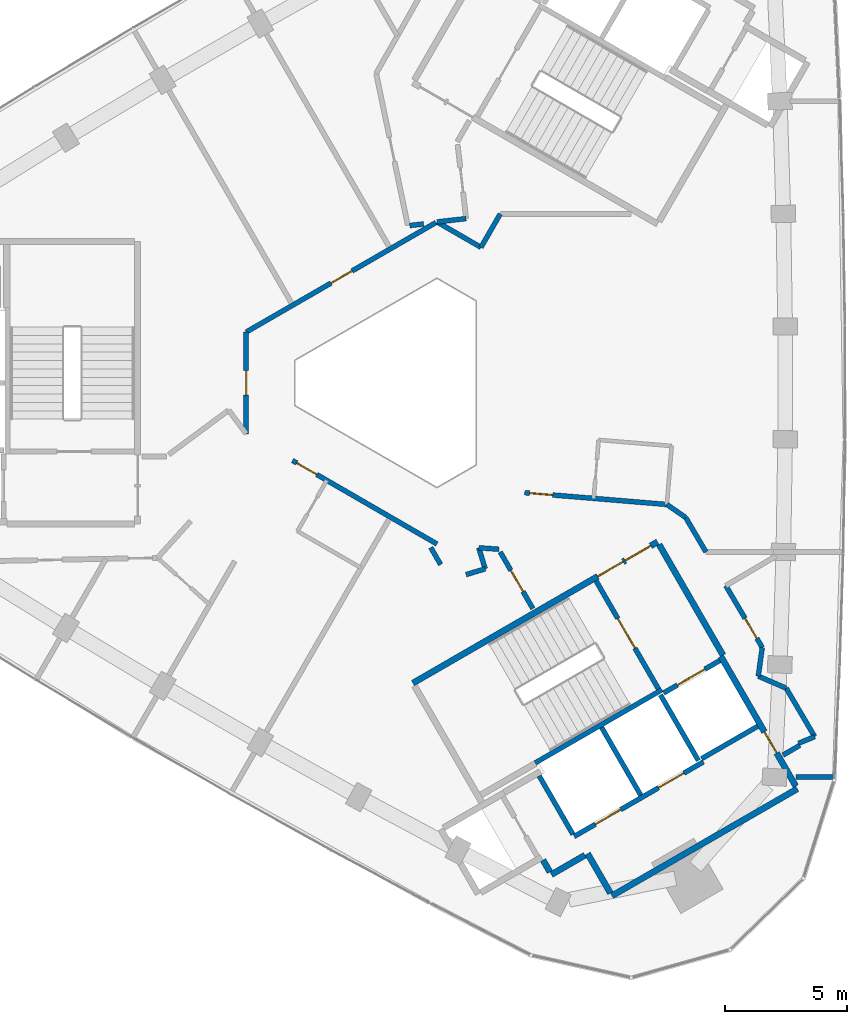
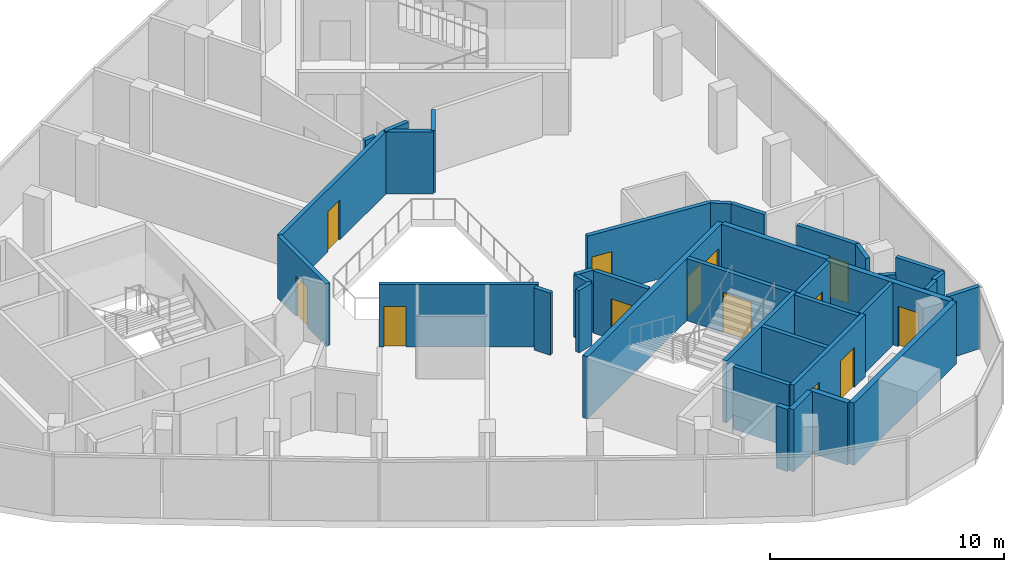
# One storey, part 7 of 10: 37 walls, 13 doors, 13 openings.
"""IFC4 building model written with IfcOpenShell, lengths in metres."""

from ifc_helpers import new_model, si_unit, direction, frame, frame_2d, origin, place, context, subcontext, project, spatial, rectangle, extrude, material, layer, layer_set, type_object, element, fill, save


model = new_model("IFC4")

# Units and contexts
model_context = context("Model", 3, precision=1e-05, world=origin(), true_north=direction((0.0, 1.0)))
body_context = subcontext(model_context, "Body", "Model", "MODEL_VIEW")
ifc_project = project(units=[si_unit("LENGTHUNIT", "METRE"), si_unit("AREAUNIT", "SQUARE_METRE"), si_unit("VOLUMEUNIT", "CUBIC_METRE"), si_unit("PLANEANGLEUNIT", "RADIAN"), si_unit("MASSUNIT", "GRAM", prefix="KILO")], contexts=[model_context])

# Site, building, storey
site_placement = place(None, origin())
site = spatial("IfcSite", under=ifc_project, at=site_placement, CompositionType="ELEMENT")
building_placement = place(site_placement, origin())
building = spatial("IfcBuilding", under=site, at=building_placement, Name="Tamra Quay Hotel Tower", CompositionType="ELEMENT")
storey_placement = place(building_placement, frame((0.0, 0.0, 276.60009765625)))
storey = spatial("IfcBuildingStorey", under=building, at=storey_placement, Name="L70", CompositionType="ELEMENT", Elevation=276.60009765625)

# Wall
ifc_material_1 = material(Name="Concrete M70", Category="concrete")
ifc_layer_1 = layer(ifc_material_1, 0.199951171875)
ifc_layer_set_1 = layer_set([ifc_layer_1], Name="Concrete M70 core wall 200")
wall_type_1 = type_object("IfcWallType", Name="Concrete M70 core wall 200", PredefinedType="SHEAR", material=ifc_layer_set_1)
wall_1_placement = place(storey_placement, frame((5.4189453125, -15.533935546875, 0.0), z_axis=(0.0, 0.0, 1.0), x_axis=(0.866029065029, 0.499993658486, 0.0)))
element("IfcWall", 1, at=wall_1_placement, inside=storey, type_object=wall_type_1, Name="CW2", PredefinedType="SHEAR", context=body_context, shape_type="SweptSolid", body=[
    extrude(rectangle(XDim=5.97412109375, YDim=0.199951171875, at=frame_2d((2.987060546875, 0.0))), origin(), (0.0, 0.0, 1.0), 3.25),
])

# Wall, openings, doors
wall_2_placement = place(storey_placement, frame((7.009765625, -18.54150390625, 0.0), z_axis=(0.0, 0.0, 1.0), x_axis=(0.866030299012, 0.499991521122, 0.0)))
wall_2 = element("IfcWall", 2, at=wall_2_placement, inside=storey, type_object=wall_type_1, Name="CW2", PredefinedType="SHEAR", context=body_context, shape_type="SweptSolid", body=[
    extrude(rectangle(XDim=6.10009765625, YDim=0.199951171875, at=frame_2d((3.050048828125, 0.0))), origin(), (0.0, 0.0, 1.0), 3.25),
])
opening_1_placement = place(wall_2_placement, frame((1.0, 0.0, 0.0)))
opening_1 = element("IfcOpeningElement", 3, at=opening_1_placement, cuts=wall_2, Name="Opening LD", PredefinedType="OPENING", context=body_context, shape_type="SweptSolid", body=[
    extrude(rectangle(XDim=1.199951171875, YDim=2.10009765625, at=frame_2d((0.60009765625, 1.050048828125))), frame((0.0, 0.10986328125, 0.0), z_axis=(0.0, -1.0, 0.0), x_axis=(1.0, 0.0, 0.0)), (0.0, 0.0, 1.0), 0.219970703125),
])
opening_2_placement = place(wall_2_placement, frame((3.982177734375, 0.0, 0.0)))
opening_2 = element("IfcOpeningElement", 4, at=opening_2_placement, cuts=wall_2, Name="Opening LD", PredefinedType="OPENING", context=body_context, shape_type="SweptSolid", body=[
    extrude(rectangle(XDim=1.199951171875, YDim=2.10009765625, at=frame_2d((0.60009765625, 1.050048828125))), frame((0.0, 0.10986328125, 0.0), z_axis=(0.0, -1.0, 0.0), x_axis=(1.0, 0.0, 0.0)), (0.0, 0.0, 1.0), 0.219970703125),
])
ifc_material_2 = material(Name="Landing door LD 1200 double door sliding")
door_type_1 = type_object("IfcDoorType", Name="Landing door LD 1200 double door sliding", OperationType="DOUBLE_DOOR_SLIDING", PredefinedType="DOOR", material=ifc_material_2)
door_1_placement = place(opening_1_placement, origin())
door_1 = element("IfcDoor", 5, at=door_1_placement, inside=storey, type_object=door_type_1, Name="LD", OperationType="DOUBLE_DOOR_SLIDING", OverallHeight=2.10009765625, OverallWidth=1.199951171875, PredefinedType="DOOR", context=body_context, shape_type="SweptSolid", body=[
    extrude(rectangle(XDim=1.199951171875, YDim=2.10009765625, at=frame_2d((0.60009765625, 1.050048828125))), frame((0.0, 0.02490234375, 0.0), z_axis=(0.0, -1.0, 0.0), x_axis=(1.0, 0.0, 0.0)), (0.0, 0.0, 1.0), 0.050048828125),
])
fill(opening_1, door_1)
door_2_placement = place(opening_2_placement, origin())
door_2 = element("IfcDoor", 6, at=door_2_placement, inside=storey, type_object=door_type_1, Name="LD", OperationType="DOUBLE_DOOR_SLIDING", OverallHeight=2.10009765625, OverallWidth=1.199951171875, PredefinedType="DOOR", context=body_context, shape_type="SweptSolid", body=[
    extrude(rectangle(XDim=1.199951171875, YDim=2.10009765625, at=frame_2d((0.60009765625, 1.050048828125))), frame((0.0, 0.02490234375, 0.0), z_axis=(0.0, -1.0, 0.0), x_axis=(1.0, 0.0, 0.0)), (0.0, 0.0, 1.0), 0.050048828125),
])
fill(opening_2, door_2)

# Wall, opening, door
wall_3_placement = place(storey_placement, frame((7.906494140625, -8.094482421875, 0.0), z_axis=(0.0, 0.0, 1.0), x_axis=(0.500027839223, -0.866009330205, 0.0)))
wall_3 = element("IfcWall", 7, at=wall_3_placement, inside=storey, type_object=wall_type_1, Name="CW2", PredefinedType="SHEAR", context=body_context, shape_type="SweptSolid", body=[
    extrude(rectangle(XDim=5.097900390625, YDim=0.199951171875, at=frame_2d((2.548828125, 0.0))), origin(), (0.0, 0.0, 1.0), 3.25),
])
opening_3_placement = place(wall_3_placement, frame((1.77392578125, 0.0, 0.0)))
opening_3 = element("IfcOpeningElement", 8, at=opening_3_placement, cuts=wall_3, Name="Opening FD2", PredefinedType="OPENING", context=body_context, shape_type="SweptSolid", body=[
    extrude(rectangle(XDim=1.39990234375, YDim=2.10009765625, at=frame_2d((0.699951171875, 1.050048828125))), frame((0.0, 0.10986328125, 0.0), z_axis=(0.0, -1.0, 0.0), x_axis=(1.0, 0.0, 0.0)), (0.0, 0.0, 1.0), 0.219970703125),
])
ifc_material_3 = material(Name="Core door FD2 1400x2100 LH")
door_type_2 = type_object("IfcDoorType", Name="Core door FD2 1400x2100 LH", OperationType="NOTDEFINED", PredefinedType="DOOR", material=ifc_material_3)
door_3_placement = place(opening_3_placement, origin())
door_3 = element("IfcDoor", 9, at=door_3_placement, inside=storey, type_object=door_type_2, Name="FD2", OperationType="SINGLE_SWING_LEFT", OverallHeight=2.10009765625, OverallWidth=1.39990234375, PredefinedType="DOOR", context=body_context, shape_type="SweptSolid", body=[
    extrude(rectangle(XDim=1.39990234375, YDim=2.10009765625, at=frame_2d((0.699951171875, 1.050048828125))), frame((0.0, 0.02490234375, 0.0), z_axis=(0.0, -1.0, 0.0), x_axis=(1.0, 0.0, 0.0)), (0.0, 0.0, 1.0), 0.050048828125),
])
fill(opening_3, door_3)

# Walls
wall_4_placement = place(storey_placement, frame((8.131591796875, -14.084228515625, 0.0), z_axis=(0.0, 0.0, 1.0), x_axis=(0.499997778408, -0.866026686418, 0.0)))
element("IfcWall", 10, at=wall_4_placement, inside=storey, type_object=wall_type_1, Name="CW2", PredefinedType="SHEAR", context=body_context, shape_type="SweptSolid", body=[
    extrude(rectangle(XDim=3.1982421875, YDim=0.199951171875, at=frame_2d((1.59912109375, 0.0))), origin(), (0.0, 0.0, 1.0), 3.25),
])
wall_5_placement = place(storey_placement, frame((6.959716796875, -18.455078125, 0.0), z_axis=(0.0, 0.0, 1.0), x_axis=(-0.499926705758, 0.866067716099, 0.0)))
element("IfcWall", 11, at=wall_5_placement, inside=storey, type_object=wall_type_1, Name="CW2", PredefinedType="SHEAR", context=body_context, shape_type="SweptSolid", body=[
    extrude(rectangle(XDim=2.75927734375, YDim=0.199951171875, at=frame_2d((1.379638671875, 0.0))), origin(), (0.0, 0.0, 1.0), 3.25),
])
wall_6_placement = place(storey_placement, frame((12.087646484375, -15.4365234375, 0.0), z_axis=(0.0, 0.0, 1.0), x_axis=(-0.500026960575, 0.86600983753, 0.0)))
element("IfcWall", 12, at=wall_6_placement, inside=storey, type_object=wall_type_1, Name="CW2", PredefinedType="SHEAR", context=body_context, shape_type="SweptSolid", body=[
    extrude(rectangle(XDim=3.099853515625, YDim=0.199951171875, at=frame_2d((1.5498046875, 0.0))), origin(), (0.0, 0.0, 1.0), 3.25),
])

# Wall, opening, door
wall_7_placement = place(storey_placement, frame((10.666015625, -12.677734375, 0.0), z_axis=(0.0, 0.0, 1.0), x_axis=(0.866018407898, 0.500012117035, 0.0)))
wall_7 = element("IfcWall", 13, at=wall_7_placement, inside=storey, type_object=wall_type_1, Name="CW2", PredefinedType="SHEAR", context=body_context, shape_type="SweptSolid", body=[
    extrude(rectangle(XDim=2.65087890625, YDim=0.199951171875, at=frame_2d((1.325439453125, 0.0))), origin(), (0.0, 0.0, 1.0), 3.25),
])
opening_4_placement = place(wall_7_placement, frame((0.65185546875, 0.0, 0.0)))
opening_4 = element("IfcOpeningElement", 14, at=opening_4_placement, cuts=wall_7, Name="Opening LD", PredefinedType="OPENING", context=body_context, shape_type="SweptSolid", body=[
    extrude(rectangle(XDim=1.300048828125, YDim=2.10009765625, at=frame_2d((0.64990234375, 1.050048828125))), frame((0.0, 0.10986328125, 0.0), z_axis=(0.0, -1.0, 0.0), x_axis=(1.0, 0.0, 0.0)), (0.0, 0.0, 1.0), 0.219970703125),
])
ifc_material_4 = material(Name="Landing door LD 1300 sliding to left")
door_type_3 = type_object("IfcDoorType", Name="Landing door LD 1300 sliding to left", OperationType="NOTDEFINED", PredefinedType="DOOR", material=ifc_material_4)
door_4_placement = place(opening_4_placement, origin())
door_4 = element("IfcDoor", 15, at=door_4_placement, inside=storey, type_object=door_type_3, Name="LD", OperationType="SLIDING_TO_LEFT", OverallHeight=2.10009765625, OverallWidth=1.300048828125, PredefinedType="DOOR", context=body_context, shape_type="SweptSolid", body=[
    extrude(rectangle(XDim=1.300048828125, YDim=2.10009765625, at=frame_2d((0.64990234375, 1.050048828125))), frame((0.0, 0.02490234375, 0.0), z_axis=(0.0, -1.0, 0.0), x_axis=(1.0, 0.0, 0.0)), (0.0, 0.0, 1.0), 0.050048828125),
])
fill(opening_4, door_4)

# Wall
wall_8_placement = place(storey_placement, frame((14.51171875, -14.037109375, 0.0), z_axis=(0.0, 0.0, 1.0), x_axis=(-0.866018407898, -0.500012117035, 0.0)))
element("IfcWall", 16, at=wall_8_placement, inside=storey, type_object=wall_type_1, Name="CW2", PredefinedType="SHEAR", context=body_context, shape_type="SweptSolid", body=[
    extrude(rectangle(XDim=2.65087890625, YDim=0.199951171875, at=frame_2d((1.325439453125, 0.0))), origin(), (0.0, 0.0, 1.0), 3.25),
])

# Wall, openings, doors
ifc_layer_2 = layer(ifc_material_1, 0.25)
ifc_layer_set_2 = layer_set([ifc_layer_2], Name="Concrete M70 core wall 250")
wall_type_2 = type_object("IfcWallType", Name="Concrete M70 core wall 250", PredefinedType="SHEAR", material=ifc_layer_set_2)
wall_9_placement = place(storey_placement, frame((0.417236328125, -12.27294921875, 0.0), z_axis=(0.0, 0.0, 1.0), x_axis=(0.866021906294, 0.500006057782, 0.0)))
wall_9 = element("IfcWall", 17, at=wall_9_placement, inside=storey, type_object=wall_type_2, Name="CW1", PredefinedType="SHEAR", context=body_context, shape_type="SweptSolid", body=[
    extrude(rectangle(XDim=11.550048828125, YDim=0.25, at=frame_2d((5.77490234375, 0.0))), origin(), (0.0, 0.0, 1.0), 3.25),
])
opening_5_placement = place(wall_9_placement, frame((10.024658203125, 0.0, 0.0)))
opening_5 = element("IfcOpeningElement", 18, at=opening_5_placement, cuts=wall_9, Name="Opening FD1", PredefinedType="OPENING", context=body_context, shape_type="SweptSolid", body=[
    extrude(rectangle(XDim=1.199951171875, YDim=2.10009765625, at=frame_2d((0.60009765625, 1.050048828125))), frame((0.0, 0.135009765625, 0.0), z_axis=(0.0, -1.0, 0.0), x_axis=(1.0, 0.0, 0.0)), (0.0, 0.0, 1.0), 0.27001953125),
])
opening_6_placement = place(wall_9_placement, frame((8.724609375, 0.0, 0.0)))
opening_6 = element("IfcOpeningElement", 19, at=opening_6_placement, cuts=wall_9, Name="Opening FD1", PredefinedType="OPENING", context=body_context, shape_type="SweptSolid", body=[
    extrude(rectangle(XDim=1.199951171875, YDim=2.10009765625, at=frame_2d((0.60009765625, 1.050048828125))), frame((0.0, 0.135009765625, 0.0), z_axis=(0.0, -1.0, 0.0), x_axis=(1.0, 0.0, 0.0)), (0.0, 0.0, 1.0), 0.27001953125),
])
ifc_material_5 = material(Name="Core door FD1 1200x2100 LH")
door_type_4 = type_object("IfcDoorType", Name="Core door FD1 1200x2100 LH", OperationType="NOTDEFINED", PredefinedType="DOOR", material=ifc_material_5)
door_5_placement = place(opening_5_placement, origin())
door_5 = element("IfcDoor", 20, at=door_5_placement, inside=storey, type_object=door_type_4, Name="FD1", OperationType="SINGLE_SWING_LEFT", OverallHeight=2.10009765625, OverallWidth=1.199951171875, PredefinedType="DOOR", context=body_context, shape_type="SweptSolid", body=[
    extrude(rectangle(XDim=1.199951171875, YDim=2.10009765625, at=frame_2d((0.60009765625, 1.050048828125))), frame((0.0, 0.02490234375, 0.0), z_axis=(0.0, -1.0, 0.0), x_axis=(1.0, 0.0, 0.0)), (0.0, 0.0, 1.0), 0.050048828125),
])
fill(opening_5, door_5)
ifc_material_6 = material(Name="Core door FD1 1200x2100 RH")
door_type_5 = type_object("IfcDoorType", Name="Core door FD1 1200x2100 RH", OperationType="NOTDEFINED", PredefinedType="DOOR", material=ifc_material_6)
door_6_placement = place(opening_6_placement, origin())
door_6 = element("IfcDoor", 21, at=door_6_placement, inside=storey, type_object=door_type_5, Name="FD1", OperationType="SINGLE_SWING_RIGHT", OverallHeight=2.10009765625, OverallWidth=1.199951171875, PredefinedType="DOOR", context=body_context, shape_type="SweptSolid", body=[
    extrude(rectangle(XDim=1.199951171875, YDim=2.10009765625, at=frame_2d((0.60009765625, 1.050048828125))), frame((0.0, 0.02490234375, 0.0), z_axis=(0.0, -1.0, 0.0), x_axis=(1.0, 0.0, 0.0)), (0.0, 0.0, 1.0), 0.050048828125),
])
fill(opening_6, door_6)

# Wall
wall_10_placement = place(storey_placement, frame((16.13330078125, -16.59375, 0.0), z_axis=(0.0, 0.0, 1.0), x_axis=(-0.866022959057, -0.500004234368, 0.0)))
element("IfcWall", 22, at=wall_10_placement, inside=storey, type_object=wall_type_2, Name="CW1", PredefinedType="SHEAR", context=body_context, shape_type="SweptSolid", body=[
    extrude(rectangle(XDim=8.75, YDim=0.25, at=frame_2d((4.375, 0.0))), origin(), (0.0, 0.0, 1.0), 3.25),
])

# Wall, opening, door
wall_11_placement = place(storey_placement, frame((13.00830078125, -11.18115234375, 0.0), z_axis=(0.0, 0.0, 1.0), x_axis=(0.500001955336, -0.866024274868, 0.0)))
wall_11 = element("IfcWall", 23, at=wall_11_placement, inside=storey, type_object=wall_type_2, Name="CW1", PredefinedType="SHEAR", context=body_context, shape_type="SweptSolid", body=[
    extrude(rectangle(XDim=6.12451171875, YDim=0.25, at=frame_2d((3.062255859375, 0.0))), origin(), (0.0, 0.0, 1.0), 3.25),
])
opening_7_placement = place(wall_11_placement, frame((3.562744140625, 0.0, 0.0)))
opening_7 = element("IfcOpeningElement", 24, at=opening_7_placement, cuts=wall_11, Name="Opening FD3", PredefinedType="OPENING", context=body_context, shape_type="SweptSolid", body=[
    extrude(rectangle(XDim=1.0, YDim=2.10009765625, at=frame_2d((0.5, 1.050048828125))), frame((0.0, 0.135009765625, 0.0), z_axis=(0.0, -1.0, 0.0), x_axis=(1.0, 0.0, 0.0)), (0.0, 0.0, 1.0), 0.27001953125),
])
ifc_material_7 = material(Name="Core door FD3 1000x2100 LH")
door_type_6 = type_object("IfcDoorType", Name="Core door FD3 1000x2100 LH", OperationType="NOTDEFINED", PredefinedType="DOOR", material=ifc_material_7)
door_7_placement = place(opening_7_placement, origin())
door_7 = element("IfcDoor", 25, at=door_7_placement, inside=storey, type_object=door_type_6, Name="FD3", OperationType="SINGLE_SWING_LEFT", OverallHeight=2.10009765625, OverallWidth=1.0, PredefinedType="DOOR", context=body_context, shape_type="SweptSolid", body=[
    extrude(rectangle(XDim=1.0, YDim=2.10009765625, at=frame_2d((0.5, 1.050048828125))), frame((0.0, 0.02490234375, 0.0), z_axis=(0.0, -1.0, 0.0), x_axis=(1.0, 0.0, 0.0)), (0.0, 0.0, 1.0), 0.050048828125),
])
fill(opening_7, door_7)

# Walls
wall_12_placement = place(storey_placement, frame((10.482666015625, -6.6064453125, 0.0), z_axis=(0.0, 0.0, 1.0), x_axis=(0.49999885962, -0.866026062182, 0.0)))
element("IfcWall", 26, at=wall_12_placement, inside=storey, type_object=wall_type_2, Name="CW1", PredefinedType="SHEAR", context=body_context, shape_type="SweptSolid", body=[
    extrude(rectangle(XDim=5.224609375, YDim=0.25, at=frame_2d((2.6123046875, 0.0))), origin(), (0.0, 0.0, 1.0), 3.25),
])
wall_13_placement = place(storey_placement, frame((8.492919921875, -20.860107421875, 0.0), z_axis=(0.0, 0.0, 1.0), x_axis=(-0.500039802285, 0.866002422705, 0.0)))
element("IfcWall", 27, at=wall_13_placement, inside=storey, type_object=wall_type_2, Name="CW1", PredefinedType="SHEAR", context=body_context, shape_type="SweptSolid", body=[
    extrude(rectangle(XDim=1.864501953125, YDim=0.25, at=frame_2d((0.93212890625, 0.0))), origin(), (0.0, 0.0, 1.0), 3.25),
])
wall_14_placement = place(storey_placement, frame((7.451904296875, -19.30810546875, 0.0), z_axis=(0.0, 0.0, 1.0), x_axis=(-0.866044474677, -0.49996696679, 0.0)))
element("IfcWall", 28, at=wall_14_placement, inside=storey, type_object=wall_type_2, Name="CW1", PredefinedType="SHEAR", context=body_context, shape_type="SweptSolid", body=[
    extrude(rectangle(XDim=1.58447265625, YDim=0.25, at=frame_2d((0.792236328125, 0.0))), origin(), (0.0, 0.0, 1.0), 3.25),
])
wall_15_placement = place(storey_placement, frame((6.01708984375, -19.99169921875, 0.0), z_axis=(0.0, 0.0, 1.0), x_axis=(-0.500364886717, 0.865814633822, 0.0)))
element("IfcWall", 29, at=wall_15_placement, inside=storey, type_object=wall_type_2, Name="CW1", PredefinedType="SHEAR", context=body_context, shape_type="SweptSolid", body=[
    extrude(rectangle(XDim=0.55908203125, YDim=0.25, at=frame_2d((0.279541015625, 0.0))), origin(), (0.0, 0.0, 1.0), 3.25),
])

# Wall, opening, door
ifc_material_8 = material(Name="Partition corridor wall")
ifc_layer_3 = layer(ifc_material_8, 0.199951171875)
ifc_layer_set_3 = layer_set([ifc_layer_3], Name="Partition corridor wall")
wall_type_3 = type_object("IfcWallType", Name="Partition corridor wall", PredefinedType="PARTITIONING", material=ifc_layer_set_3)
wall_16_placement = place(storey_placement, frame((-6.39990234375, -2.077880859375, 0.0), z_axis=(0.0, 0.0, 1.0), x_axis=(0.0, 1.0, 0.0)))
wall_16 = element("IfcWall", 30, at=wall_16_placement, inside=storey, type_object=wall_type_3, Name="W-C", PredefinedType="PARTITIONING", context=body_context, shape_type="SweptSolid", body=[
    extrude(rectangle(XDim=4.156982421875, YDim=0.199951171875, at=frame_2d((2.07861328125, 0.0))), origin(), (0.0, 0.0, 1.0), 3.25),
])
opening_8_placement = place(wall_16_placement, frame((1.57861328125, 0.0, 0.0)))
opening_8 = element("IfcOpeningElement", 31, at=opening_8_placement, cuts=wall_16, Name="Opening L70-D008", PredefinedType="OPENING", context=body_context, shape_type="SweptSolid", body=[
    extrude(rectangle(XDim=1.0, YDim=2.10009765625, at=frame_2d((0.5, 1.050048828125))), frame((0.0, 0.10986328125, 0.0), z_axis=(0.0, -1.0, 0.0), x_axis=(1.0, 0.0, 0.0)), (0.0, 0.0, 1.0), 0.219970703125),
])
ifc_material_9 = material(Name="Door guest room 1000x2100")
door_type_7 = type_object("IfcDoorType", Name="Door guest room 1000x2100", OperationType="NOTDEFINED", PredefinedType="DOOR", material=ifc_material_9)
door_8_placement = place(opening_8_placement, origin())
door_8 = element("IfcDoor", 32, at=door_8_placement, inside=storey, type_object=door_type_7, Name="L70-D008", OperationType="SINGLE_SWING_LEFT", OverallHeight=2.10009765625, OverallWidth=1.0, PredefinedType="DOOR", context=body_context, shape_type="SweptSolid", body=[
    extrude(rectangle(XDim=1.0, YDim=2.10009765625, at=frame_2d((0.5, 1.050048828125))), frame((0.0, 0.02490234375, 0.0), z_axis=(0.0, -1.0, 0.0), x_axis=(1.0, 0.0, 0.0)), (0.0, 0.0, 1.0), 0.050048828125),
])
fill(opening_8, door_8)

wall_17_placement = place(storey_placement, frame((-6.39990234375, 2.07861328125, 0.0), z_axis=(0.0, 0.0, 1.0), x_axis=(0.866044821263, 0.499966366432, 0.0)))
wall_17 = element("IfcWall", 33, at=wall_17_placement, inside=storey, type_object=wall_type_3, Name="W-C", PredefinedType="PARTITIONING", context=body_context, shape_type="SweptSolid", body=[
    extrude(rectangle(XDim=8.953125, YDim=0.199951171875, at=frame_2d((4.4765625, 0.0))), origin(), (0.0, 0.0, 1.0), 3.25),
])
opening_9_placement = place(wall_17_placement, frame((4.003173828125, 0.0, 0.0)))
opening_9 = element("IfcOpeningElement", 34, at=opening_9_placement, cuts=wall_17, Name="Opening L70-D007", PredefinedType="OPENING", context=body_context, shape_type="SweptSolid", body=[
    extrude(rectangle(XDim=1.0, YDim=2.10009765625, at=frame_2d((0.5, 1.050048828125))), frame((0.0, 0.10986328125, 0.0), z_axis=(0.0, -1.0, 0.0), x_axis=(1.0, 0.0, 0.0)), (0.0, 0.0, 1.0), 0.219970703125),
])
door_9_placement = place(opening_9_placement, origin())
door_9 = element("IfcDoor", 35, at=door_9_placement, inside=storey, type_object=door_type_7, Name="L70-D007", OperationType="SINGLE_SWING_LEFT", OverallHeight=2.10009765625, OverallWidth=1.0, PredefinedType="DOOR", context=body_context, shape_type="SweptSolid", body=[
    extrude(rectangle(XDim=1.0, YDim=2.10009765625, at=frame_2d((0.5, 1.050048828125))), frame((0.0, 0.02490234375, 0.0), z_axis=(0.0, -1.0, 0.0), x_axis=(1.0, 0.0, 0.0)), (0.0, 0.0, 1.0), 0.050048828125),
])
fill(opening_9, door_9)

wall_18_placement = place(storey_placement, frame((-4.5048828125, -3.172119140625, 0.0), z_axis=(0.0, 0.0, 1.0), x_axis=(0.865815783666, -0.500362897061, 0.0)))
wall_18 = element("IfcWall", 36, at=wall_18_placement, inside=storey, type_object=wall_type_3, Name="W-C", PredefinedType="PARTITIONING", context=body_context, shape_type="SweptSolid", body=[
    extrude(rectangle(XDim=6.81884765625, YDim=0.199951171875, at=frame_2d((3.409423828125, 0.0))), origin(), (0.0, 0.0, 1.0), 3.25),
])
opening_10_placement = place(wall_18_placement, frame((0.199951171875, 0.0, 0.0)))
opening_10 = element("IfcOpeningElement", 37, at=opening_10_placement, cuts=wall_18, Name="Opening L70-D012", PredefinedType="OPENING", context=body_context, shape_type="SweptSolid", body=[
    extrude(rectangle(XDim=0.949951171875, YDim=2.10009765625, at=frame_2d((0.47509765625, 1.050048828125))), frame((0.0, 0.10986328125, 0.0), z_axis=(0.0, -1.0, 0.0), x_axis=(1.0, 0.0, 0.0)), (0.0, 0.0, 1.0), 0.219970703125),
])
ifc_material_10 = material(Name="Door guest room 950x2100")
door_type_8 = type_object("IfcDoorType", Name="Door guest room 950x2100", OperationType="NOTDEFINED", PredefinedType="DOOR", material=ifc_material_10)
door_10_placement = place(opening_10_placement, frame((0.949951171875, 0.0, 0.0), z_axis=(0.0, 0.0, 1.0), x_axis=(-1.0, 0.0, 0.0)))
door_10 = element("IfcDoor", 38, at=door_10_placement, inside=storey, type_object=door_type_8, Name="L70-D012", OperationType="SINGLE_SWING_LEFT", OverallHeight=2.10009765625, OverallWidth=0.949951171875, PredefinedType="DOOR", context=body_context, shape_type="SweptSolid", body=[
    extrude(rectangle(XDim=0.949951171875, YDim=2.10009765625, at=frame_2d((0.47509765625, 1.050048828125))), frame((0.0, 0.02490234375, 0.0), z_axis=(0.0, -1.0, 0.0), x_axis=(1.0, 0.0, 0.0)), (0.0, 0.0, 1.0), 0.050048828125),
])
fill(opening_10, door_10)

# Walls
wall_19_placement = place(storey_placement, frame((0.285888671875, 6.43408203125, 0.0), z_axis=(0.0, 0.0, 1.0), x_axis=(0.993674480486, 0.112298828274, 0.0)))
element("IfcWall", 39, at=wall_19_placement, inside=storey, type_object=wall_type_3, Name="W-C", PredefinedType="PARTITIONING", context=body_context, shape_type="SweptSolid", body=[
    extrude(rectangle(XDim=0.573974609375, YDim=0.199951171875, at=frame_2d((0.287109375, 0.0))), origin(), (0.0, 0.0, 1.0), 3.25),
])
wall_20_placement = place(storey_placement, frame((1.14794921875, -6.72802734375, 0.0), z_axis=(0.0, 0.0, 1.0), x_axis=(0.499696187967, -0.866200738704, 0.0)))
element("IfcWall", 40, at=wall_20_placement, inside=storey, type_object=wall_type_3, Name="W-C", PredefinedType="PARTITIONING", context=body_context, shape_type="SweptSolid", body=[
    extrude(rectangle(XDim=0.8046875, YDim=0.199951171875, at=frame_2d((0.40234375, 0.0))), origin(), (0.0, 0.0, 1.0), 3.25),
])
wall_21_placement = place(storey_placement, frame((1.39990234375, 6.58203125, 0.0), z_axis=(0.0, 0.0, 1.0), x_axis=(0.993556915844, 0.11333426216, 0.0)))
element("IfcWall", 41, at=wall_21_placement, inside=storey, type_object=wall_type_3, Name="W-C", PredefinedType="PARTITIONING", context=body_context, shape_type="SweptSolid", body=[
    extrude(rectangle(XDim=1.199951171875, YDim=0.199951171875, at=frame_2d((0.60009765625, 0.0))), origin(), (0.0, 0.0, 1.0), 3.25),
])
wall_22_placement = place(storey_placement, frame((1.39990234375, 6.58203125, 0.0), z_axis=(0.0, 0.0, 1.0), x_axis=(0.866066271601, -0.499929208183, 0.0)))
element("IfcWall", 42, at=wall_22_placement, inside=storey, type_object=wall_type_3, Name="W-C", PredefinedType="PARTITIONING", context=body_context, shape_type="SweptSolid", body=[
    extrude(rectangle(XDim=2.078369140625, YDim=0.199951171875, at=frame_2d((1.0390625, 0.0))), origin(), (0.0, 0.0, 1.0), 3.25),
])
wall_23_placement = place(storey_placement, frame((2.591064453125, -7.8369140625, 0.0), z_axis=(0.0, 0.0, 1.0), x_axis=(0.956974070788, 0.290173444409, 0.0)))
element("IfcWall", 43, at=wall_23_placement, inside=storey, type_object=wall_type_3, Name="W-C", PredefinedType="PARTITIONING", context=body_context, shape_type="SweptSolid", body=[
    extrude(rectangle(XDim=0.816162109375, YDim=0.199951171875, at=frame_2d((0.408203125, 0.0))), origin(), (0.0, 0.0, 1.0), 3.25),
])
wall_24_placement = place(storey_placement, frame((3.110107421875, -6.739013671875, 0.0), z_axis=(0.0, 0.0, 1.0), x_axis=(0.291053676179, -0.95670672496, 0.0)))
element("IfcWall", 44, at=wall_24_placement, inside=storey, type_object=wall_type_3, Name="W-C", PredefinedType="PARTITIONING", context=body_context, shape_type="SweptSolid", body=[
    extrude(rectangle(XDim=0.900146484375, YDim=0.199951171875, at=frame_2d((0.4501953125, 0.0))), origin(), (0.0, 0.0, 1.0), 3.25),
])
wall_25_placement = place(storey_placement, frame((3.110107421875, -6.739013671875, 0.0), z_axis=(0.0, 0.0, 1.0), x_axis=(0.997219513188, -0.074520081303, 0.0)))
element("IfcWall", 45, at=wall_25_placement, inside=storey, type_object=wall_type_3, Name="W-C", PredefinedType="PARTITIONING", context=body_context, shape_type="SweptSolid", body=[
    extrude(rectangle(XDim=0.83203125, YDim=0.199951171875, at=frame_2d((0.416015625, 0.0))), origin(), (0.0, 0.0, 1.0), 3.25),
])

# Wall, opening, door
wall_26_placement = place(storey_placement, frame((3.987060546875, -6.910888671875, 0.0), z_axis=(0.0, 0.0, 1.0), x_axis=(0.499458942258, -0.866337558345, 0.0)))
wall_26 = element("IfcWall", 46, at=wall_26_placement, inside=storey, type_object=wall_type_3, Name="W-C", PredefinedType="PARTITIONING", context=body_context, shape_type="SweptSolid", body=[
    extrude(rectangle(XDim=2.673828125, YDim=0.199951171875, at=frame_2d((1.3369140625, 0.0))), origin(), (0.0, 0.0, 1.0), 3.25),
])
opening_11_placement = place(wall_26_placement, frame((0.8671875, 0.0, 0.0)))
opening_11 = element("IfcOpeningElement", 47, at=opening_11_placement, cuts=wall_26, Name="Opening L70-D014", PredefinedType="OPENING", context=body_context, shape_type="SweptSolid", body=[
    extrude(rectangle(XDim=1.0, YDim=2.10009765625, at=frame_2d((0.5, 1.050048828125))), frame((0.0, 0.10986328125, 0.0), z_axis=(0.0, -1.0, 0.0), x_axis=(1.0, 0.0, 0.0)), (0.0, 0.0, 1.0), 0.219970703125),
])
door_11_placement = place(opening_11_placement, frame((1.0, 0.0, 0.0), z_axis=(0.0, 0.0, 1.0), x_axis=(-1.0, 0.0, 0.0)))
door_11 = element("IfcDoor", 48, at=door_11_placement, inside=storey, type_object=door_type_7, Name="L70-D014", OperationType="SINGLE_SWING_LEFT", OverallHeight=2.10009765625, OverallWidth=1.0, PredefinedType="DOOR", context=body_context, shape_type="SweptSolid", body=[
    extrude(rectangle(XDim=1.0, YDim=2.10009765625, at=frame_2d((0.5, 1.050048828125))), frame((0.0, 0.02490234375, 0.0), z_axis=(0.0, -1.0, 0.0), x_axis=(1.0, 0.0, 0.0)), (0.0, 0.0, 1.0), 0.050048828125),
])
fill(opening_11, door_11)

wall_27_placement = place(storey_placement, frame((4.988037109375, -4.487060546875, 0.0), z_axis=(0.0, 0.0, 1.0), x_axis=(0.996576293439, -0.08267823992, 0.0)))
wall_27 = element("IfcWall", 49, at=wall_27_placement, inside=storey, type_object=wall_type_3, Name="W-C", PredefinedType="PARTITIONING", context=body_context, shape_type="SweptSolid", body=[
    extrude(rectangle(XDim=5.83203125, YDim=0.199951171875, at=frame_2d((2.916015625, 0.0))), origin(), (0.0, 0.0, 1.0), 3.25),
])
opening_12_placement = place(wall_27_placement, frame((0.199951171875, 0.0, 0.0)))
opening_12 = element("IfcOpeningElement", 50, at=opening_12_placement, cuts=wall_27, Name="Opening L70-D002", PredefinedType="OPENING", context=body_context, shape_type="SweptSolid", body=[
    extrude(rectangle(XDim=0.949951171875, YDim=2.10009765625, at=frame_2d((0.47509765625, 1.050048828125))), frame((0.0, 0.10986328125, 0.0), z_axis=(0.0, -1.0, 0.0), x_axis=(1.0, 0.0, 0.0)), (0.0, 0.0, 1.0), 0.219970703125),
])
door_12_placement = place(opening_12_placement, origin())
door_12 = element("IfcDoor", 51, at=door_12_placement, inside=storey, type_object=door_type_8, Name="L70-D002", OperationType="SINGLE_SWING_LEFT", OverallHeight=2.10009765625, OverallWidth=0.949951171875, PredefinedType="DOOR", context=body_context, shape_type="SweptSolid", body=[
    extrude(rectangle(XDim=0.949951171875, YDim=2.10009765625, at=frame_2d((0.47509765625, 1.050048828125))), frame((0.0, 0.02490234375, 0.0), z_axis=(0.0, -1.0, 0.0), x_axis=(1.0, 0.0, 0.0)), (0.0, 0.0, 1.0), 0.050048828125),
])
fill(opening_12, door_12)

# Walls
wall_28_placement = place(storey_placement, frame((10.800048828125, -4.969970703125, 0.0), z_axis=(0.0, 0.0, 1.0), x_axis=(0.822107837165, -0.569331804902, 0.0)))
element("IfcWall", 52, at=wall_28_placement, inside=storey, type_object=wall_type_3, Name="W-C", PredefinedType="PARTITIONING", context=body_context, shape_type="SweptSolid", body=[
    extrude(rectangle(XDim=0.937744140625, YDim=0.199951171875, at=frame_2d((0.46875, 0.0))), origin(), (0.0, 0.0, 1.0), 3.25),
])
wall_29_placement = place(storey_placement, frame((11.571044921875, -5.5048828125, 0.0), z_axis=(0.0, 0.0, 1.0), x_axis=(0.507321116571, -0.86175709146, 0.0)))
element("IfcWall", 53, at=wall_29_placement, inside=storey, type_object=wall_type_3, Name="W-C", PredefinedType="PARTITIONING", context=body_context, shape_type="SweptSolid", body=[
    extrude(rectangle(XDim=1.63037109375, YDim=0.199951171875, at=frame_2d((0.815185546875, 0.0))), origin(), (0.0, 0.0, 1.0), 3.25),
])

# Wall, opening, door
wall_30_placement = place(storey_placement, frame((13.2099609375, -8.2890625, 0.0), z_axis=(0.0, 0.0, 1.0), x_axis=(0.507314348132, -0.861761076041, 0.0)))
wall_30 = element("IfcWall", 54, at=wall_30_placement, inside=storey, type_object=wall_type_3, Name="W-C", PredefinedType="PARTITIONING", context=body_context, shape_type="SweptSolid", body=[
    extrude(rectangle(XDim=2.93701171875, YDim=0.199951171875, at=frame_2d((1.468505859375, 0.0))), origin(), (0.0, 0.0, 1.0), 3.25),
])
opening_13_placement = place(wall_30_placement, frame((1.549072265625, 0.0, 0.0)))
opening_13 = element("IfcOpeningElement", 55, at=opening_13_placement, cuts=wall_30, Name="Opening L70-D001", PredefinedType="OPENING", context=body_context, shape_type="SweptSolid", body=[
    extrude(rectangle(XDim=0.949951171875, YDim=2.10009765625, at=frame_2d((0.47509765625, 1.050048828125))), frame((0.0, 0.10986328125, 0.0), z_axis=(0.0, -1.0, 0.0), x_axis=(1.0, 0.0, 0.0)), (0.0, 0.0, 1.0), 0.219970703125),
])
door_13_placement = place(opening_13_placement, origin())
door_13 = element("IfcDoor", 56, at=door_13_placement, inside=storey, type_object=door_type_8, Name="L70-D001", OperationType="SINGLE_SWING_LEFT", OverallHeight=2.10009765625, OverallWidth=0.949951171875, PredefinedType="DOOR", context=body_context, shape_type="SweptSolid", body=[
    extrude(rectangle(XDim=0.949951171875, YDim=2.10009765625, at=frame_2d((0.47509765625, 1.050048828125))), frame((0.0, 0.02490234375, 0.0), z_axis=(0.0, -1.0, 0.0), x_axis=(1.0, 0.0, 0.0)), (0.0, 0.0, 1.0), 0.050048828125),
])
fill(opening_13, door_13)

# Walls
wall_31_placement = place(storey_placement, frame((14.535888671875, -11.987060546875, 0.0), z_axis=(0.0, 0.0, 1.0), x_axis=(0.139331074948, 0.990245854096, 0.0)))
element("IfcWall", 57, at=wall_31_placement, inside=storey, type_object=wall_type_3, Name="W-C", PredefinedType="PARTITIONING", context=body_context, shape_type="SweptSolid", body=[
    extrude(rectangle(XDim=1.177490234375, YDim=0.199951171875, at=frame_2d((0.5888671875, 0.0))), origin(), (0.0, 0.0, 1.0), 3.25),
])
wall_32_placement = place(storey_placement, frame((14.535888671875, -11.987060546875, 0.0), z_axis=(0.0, 0.0, 1.0), x_axis=(0.918013607861, -0.396548881958, 0.0)))
element("IfcWall", 58, at=wall_32_placement, inside=storey, type_object=wall_type_3, Name="W-C", PredefinedType="PARTITIONING", context=body_context, shape_type="SweptSolid", body=[
    extrude(rectangle(XDim=1.242919921875, YDim=0.199951171875, at=frame_2d((0.62158203125, 0.0))), origin(), (0.0, 0.0, 1.0), 2.349853515625),
])
wall_33_placement = place(storey_placement, frame((15.5498046875, -15.213134765625, 0.0), z_axis=(0.0, 0.0, 1.0), x_axis=(0.865989998118, 0.500061319399, 0.0)))
element("IfcWall", 59, at=wall_33_placement, inside=storey, type_object=wall_type_3, Name="W-C", PredefinedType="PARTITIONING", context=body_context, shape_type="SweptSolid", body=[
    extrude(rectangle(XDim=0.7900390625, YDim=0.199951171875, at=frame_2d((0.39501953125, 0.0))), origin(), (0.0, 0.0, 1.0), 3.25),
])
wall_34_placement = place(storey_placement, frame((15.67724609375, -12.47998046875, 0.0), z_axis=(0.0, 0.0, 1.0), x_axis=(0.507256975253, -0.861794848591, 0.0)))
element("IfcWall", 60, at=wall_34_placement, inside=storey, type_object=wall_type_3, Name="W-C", PredefinedType="PARTITIONING", context=body_context, shape_type="SweptSolid", body=[
    extrude(rectangle(XDim=2.297119140625, YDim=0.199951171875, at=frame_2d((1.1484375, 0.0))), origin(), (0.0, 0.0, 1.0), 3.25),
])
wall_35_placement = place(storey_placement, frame((16.18505859375, -14.73291015625, 0.0), z_axis=(0.0, 0.0, 1.0), x_axis=(0.923472400107, 0.38366486188, 0.0)))
element("IfcWall", 61, at=wall_35_placement, inside=storey, type_object=wall_type_3, Name="W-C", PredefinedType="PARTITIONING", context=body_context, shape_type="SweptSolid", body=[
    extrude(rectangle(XDim=0.71142578125, YDim=0.199951171875, at=frame_2d((0.355712890625, 0.0))), origin(), (0.0, 0.0, 1.0), 3.25),
])
ifc_material_11 = material(Name="Partition party wall")
ifc_layer_4 = layer(ifc_material_11, 0.199951171875)
ifc_layer_set_4 = layer_set([ifc_layer_4], Name="Partition party wall")
wall_type_4 = type_object("IfcWallType", Name="Partition party wall", PredefinedType="PARTITIONING", material=ifc_layer_set_4)
wall_36_placement = place(storey_placement, frame((3.199951171875, 5.54296875, 0.0), z_axis=(0.0, 0.0, 1.0), x_axis=(0.499342032259, 0.86640494852, 0.0)))
element("IfcWall", 62, at=wall_36_placement, inside=storey, type_object=wall_type_4, Name="W-P", PredefinedType="PARTITIONING", context=body_context, shape_type="SweptSolid", body=[
    extrude(rectangle(XDim=1.57421875, YDim=0.199951171875, at=frame_2d((0.787109375, 0.0))), origin(), (0.0, 0.0, 1.0), 3.25),
])
wall_37_placement = place(storey_placement, frame((16.07177734375, -16.116943359375, 0.0), z_axis=(0.0, 0.0, 1.0), x_axis=(1.0, 0.0, 0.0)))
element("IfcWall", 63, at=wall_37_placement, inside=storey, type_object=wall_type_4, Name="W-P", PredefinedType="PARTITIONING", context=body_context, shape_type="SweptSolid", body=[
    extrude(rectangle(XDim=1.578369140625, YDim=0.199951171875, at=frame_2d((0.7890625, 0.0))), origin(), (0.0, 0.0, 1.0), 3.25),
])

save(model, "model.ifc")
